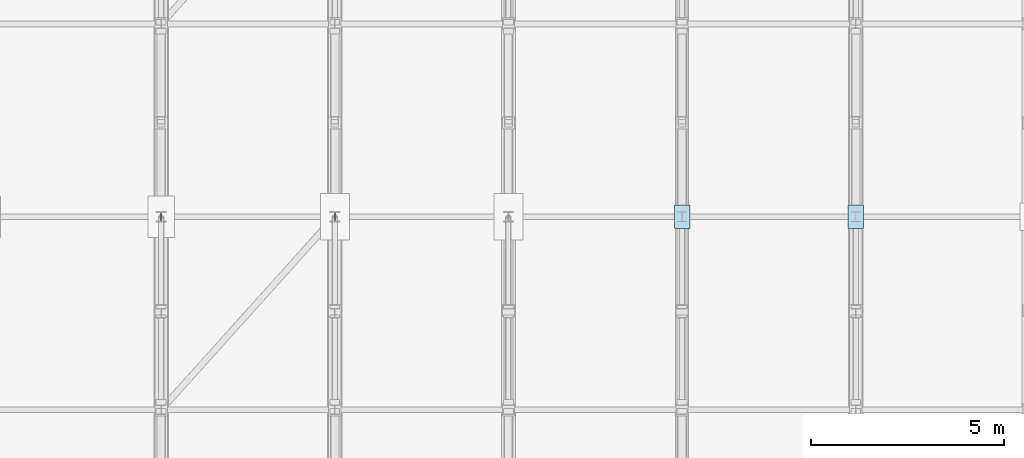
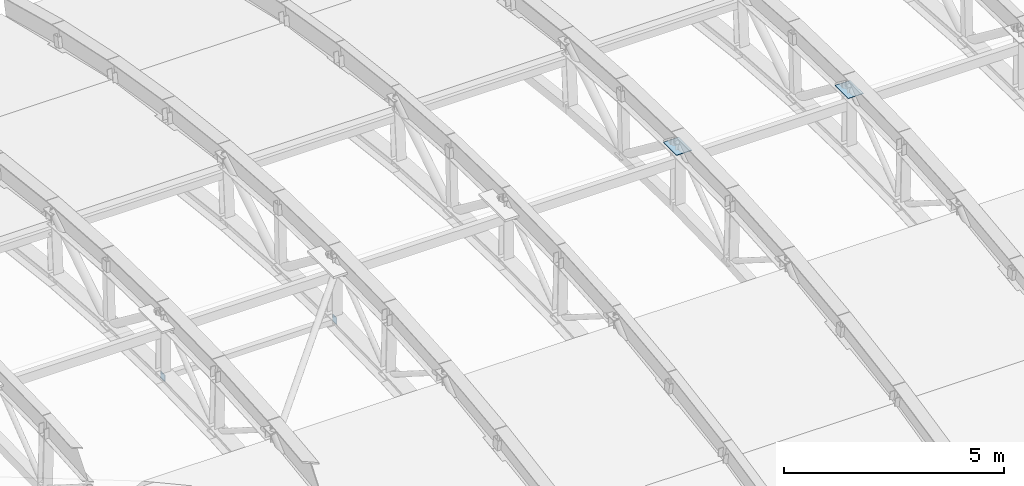
# One storey, part 39 of 53: 4 plates.
"""IFC4 building model written with IfcOpenShell, lengths in metres."""

from ifc_helpers import new_model, si_unit, direction, frame, origin, origin_2d, place, context, subcontext, project, spatial, rectangle, extrude, material, layer, layer_set, type_object, element, save


model = new_model("IFC4")

# Units and contexts
model_context = context("Model", 3, precision=1e-05, world=origin(), true_north=direction((0.0, 1.0)))
body_context = subcontext(model_context, "Body", "Model", "MODEL_VIEW")
ifc_project = project(units=[si_unit("LENGTHUNIT", "METRE"), si_unit("AREAUNIT", "SQUARE_METRE"), si_unit("VOLUMEUNIT", "CUBIC_METRE"), si_unit("PLANEANGLEUNIT", "RADIAN"), si_unit("MASSUNIT", "GRAM", prefix="KILO")], contexts=[model_context])

# Site, building, storey
site_placement = place(None, origin())
site = spatial("IfcSite", under=ifc_project, at=site_placement, CompositionType="ELEMENT")
building_placement = place(site_placement, origin())
building = spatial("IfcBuilding", under=site, at=building_placement, Name="Cazmaro Siding Exhibition Halls", CompositionType="ELEMENT")
storey_placement = place(building_placement, frame((0.0, 0.0, 21.0)))
storey = spatial("IfcBuildingStorey", under=building, at=storey_placement, Name="L04", CompositionType="ELEMENT", Elevation=21.0)

# Plates
ifc_material_1 = material(Name="Steel ASTM A572 Grade 50", Category="steel")
ifc_layer_1 = layer(ifc_material_1, 0.02001953125)
ifc_layer_set_1 = layer_set([ifc_layer_1], Name="Steel ASTM A572 Grade 50")
plate_type_1 = type_object("IfcPlateType", Name="CP-11", PredefinedType="SHEET", material=ifc_layer_set_1)
for number, where, z_axis, x_axis, name in (
    (1, (139.485107421875, 94.0, 0.699951171875), (1.0, 0.0, 0.0), (0.0, 1.0, 0.0), "HSS strut end-cap plate CP-11"),
    (2, (143.994873046875, 94.0, 0.699951171875), (1.0, 0.0, 0.0), (0.0, 1.0, 0.0), "HSS strut end-cap plate CP-11"),
):
    element("IfcPlate", number, at=place(storey_placement, frame(where, z_axis=z_axis, x_axis=x_axis)), inside=storey, type_object=plate_type_1, Name=name, PredefinedType="SHEET", context=body_context, shape_type="SweptSolid", body=[
        extrude(rectangle(XDim=0.179931640625, YDim=0.179931640625, at=origin_2d()), origin(), (0.0, 0.0, 1.0), 0.02001953125),
    ])
ifc_material_2 = material(Name="Steel ASTM A572 Grade 50", Category="steel")
ifc_layer_2 = layer(ifc_material_2, 0.011962890625)
ifc_layer_set_2 = layer_set([ifc_layer_2], Name="Steel ASTM A572 Grade 50")
plate_type_2 = type_object("IfcPlateType", Name="GP-01", PredefinedType="USERDEFINED", material=ifc_layer_set_2)
for number, where, z_axis, x_axis, name in (
    (3, (153.0, 94.0, 2.34423828125), (0.0, 0.0, 1.0), (0.0, 1.0, 0.0), "Space frame vault crown gusset plate GP-01 node TN-02"),
    (4, (157.5, 94.0, 2.34423828125), (0.0, 0.0, 1.0), (0.0, 1.0, 0.0), "Space frame vault crown gusset plate GP-01 node TN-02"),
):
    element("IfcPlate", number, at=place(storey_placement, frame(where, z_axis=z_axis, x_axis=x_axis)), inside=storey, type_object=plate_type_2, Name=name, ObjectType="GUSSET PLATE", PredefinedType="USERDEFINED", context=body_context, shape_type="SweptSolid", body=[
        extrude(rectangle(XDim=0.60009765625, YDim=0.39990234375, at=origin_2d()), origin(), (0.0, 0.0, 1.0), 0.011962890625),
    ])

save(model, "model.ifc")
